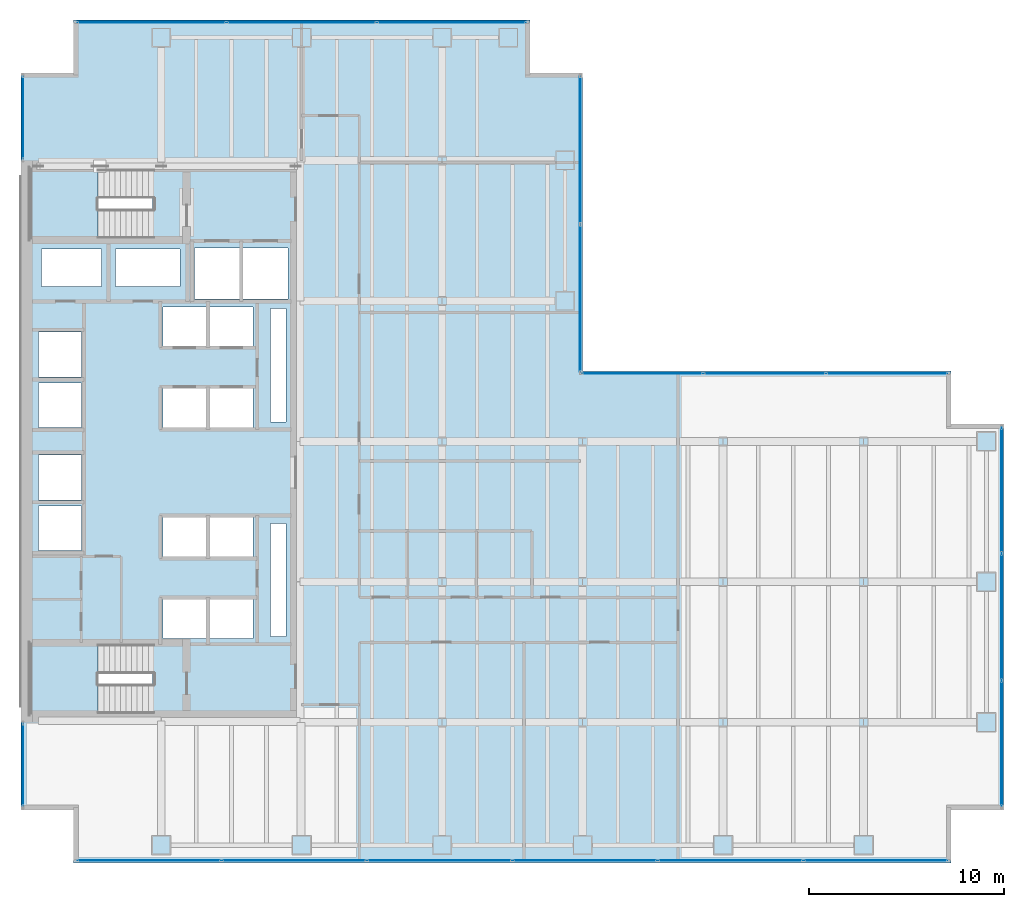
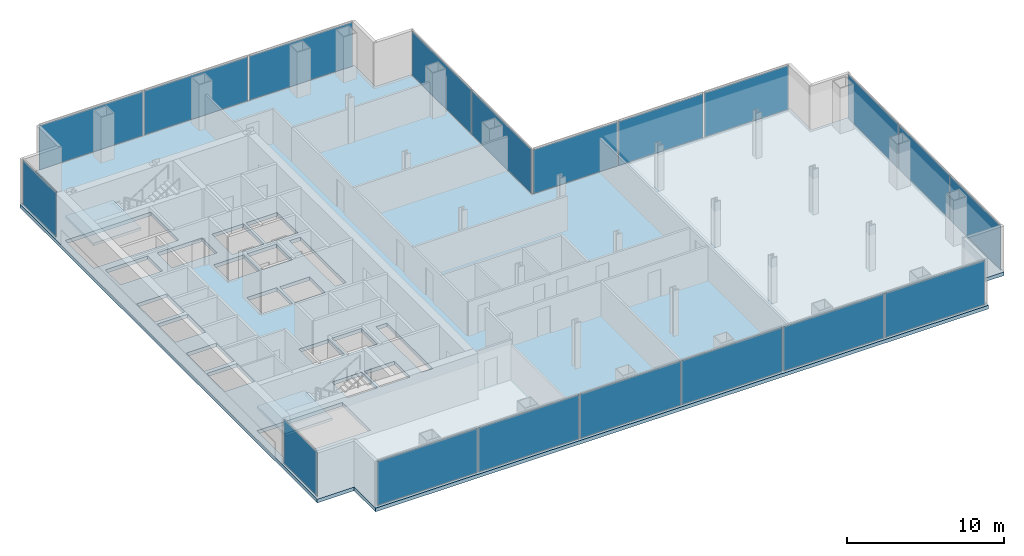
# One storey, part 19 of 25: 19 plates, 3 slabs, 20 openings, 9 elements without a shape of their own.
"""IFC4 building model written with IfcOpenShell, lengths in metres."""

from ifc_helpers import new_model, si_unit, direction, frame, origin, origin_2d, place, context, subcontext, project, spatial, polyline, rectangle, outline, extrude, material, layer, layer_set, type_object, element, aggregate, save


model = new_model("IFC4")

# Units and contexts
model_context = context("Model", 3, precision=1e-05, world=origin(), true_north=direction((0.0, 1.0)))
body_context = subcontext(model_context, "Body", "Model", "MODEL_VIEW")
ifc_project = project(units=[si_unit("LENGTHUNIT", "METRE"), si_unit("AREAUNIT", "SQUARE_METRE"), si_unit("VOLUMEUNIT", "CUBIC_METRE"), si_unit("PLANEANGLEUNIT", "RADIAN"), si_unit("MASSUNIT", "GRAM", prefix="KILO")], contexts=[model_context])

# Site, building, storey
site_placement = place(None, origin())
site = spatial("IfcSite", under=ifc_project, at=site_placement, CompositionType="ELEMENT")
building_placement = place(site_placement, origin())
building = spatial("IfcBuilding", under=site, at=building_placement, Name="Cobrela Telecom Tower", CompositionType="ELEMENT")
storey_placement = place(building_placement, frame((0.0, 0.0, 61.949951171875)))
storey = spatial("IfcBuildingStorey", under=building, at=storey_placement, Name="L15", CompositionType="ELEMENT", Elevation=61.949951171875)

# Curtain wall, plate
ifc_material_1 = material(Name="Anodized Bronze Aluminium 6063-T6", Category="aluminium")
curtain_wall_type = type_object("IfcCurtainWallType", Name="CW-SYS-DATA", PredefinedType="USERDEFINED", material=ifc_material_1)
curtain_wall_1_placement = place(storey_placement, origin())
curtain_wall_1 = element("IfcCurtainWall", 1, at=curtain_wall_1_placement, inside=storey, type_object=curtain_wall_type, Name="L15 Unitised Bronze Curtain Wall 03", ObjectType="UNITISED CURTAIN WALL", PredefinedType="USERDEFINED")
ifc_material_2 = material(Name="Solar-Control Bronze Low-E Glass", Category="glass")
ifc_layer_1 = layer(ifc_material_2, 0.0380859375)
ifc_layer_set_1 = layer_set([ifc_layer_1], Name="Solar-Control Bronze Low-E Glass")
plate_type = type_object("IfcPlateType", Name="CW-SYS-DATA-PNL", PredefinedType="CURTAIN_PANEL", material=ifc_layer_set_1)
plate_1_placement = place(storey_placement, frame((0.1201171875, 5.014892578125, 0.0751953125), z_axis=(0.0, 0.0, 1.0), x_axis=(0.0, 1.0, 0.0)))
plate_1 = element("IfcPlate", 2, at=plate_1_placement, type_object=plate_type, Name="CW-DATA panel 1.1", PredefinedType="CURTAIN_PANEL", context=body_context, shape_type="SweptSolid", body=[
    extrude(rectangle(XDim=4.2099609375, YDim=0.0380859375, at=origin_2d()), origin(), (0.0, 0.0, 1.0), 3.419921875),
])
aggregate(curtain_wall_1, [plate_1])

curtain_wall_2_placement = place(storey_placement, origin())
curtain_wall_2 = element("IfcCurtainWall", 3, at=curtain_wall_2_placement, inside=storey, type_object=curtain_wall_type, Name="L15 Unitised Bronze Curtain Wall 04", ObjectType="UNITISED CURTAIN WALL", PredefinedType="USERDEFINED")
plate_2_placement = place(storey_placement, frame((0.1201171875, 38.18505859375, 0.0751953125), z_axis=(0.0, 0.0, 1.0), x_axis=(0.0, 1.0, 0.0)))
plate_2 = element("IfcPlate", 4, at=plate_2_placement, type_object=plate_type, Name="CW-DATA panel 1.1", PredefinedType="CURTAIN_PANEL", context=body_context, shape_type="SweptSolid", body=[
    extrude(rectangle(XDim=4.2099609375, YDim=0.0380859375, at=origin_2d()), origin(), (0.0, 0.0, 1.0), 3.419921875),
])
aggregate(curtain_wall_2, [plate_2])

# Curtain wall, plates
curtain_wall_3_placement = place(storey_placement, origin())
curtain_wall_3 = element("IfcCurtainWall", 5, at=curtain_wall_3_placement, inside=storey, type_object=curtain_wall_type, Name="L15 Unitised Bronze Curtain Wall 07", ObjectType="UNITISED CURTAIN WALL", PredefinedType="USERDEFINED")
plate_3_placement = place(storey_placement, frame((6.706787109375, 43.080078125, 0.0751953125), z_axis=(0.0, 0.0, 1.0), x_axis=(1.0, 0.0, 0.0)))
plate_3 = element("IfcPlate", 6, at=plate_3_placement, type_object=plate_type, Name="CW-DATA panel 1.1", PredefinedType="CURTAIN_PANEL", context=body_context, shape_type="SweptSolid", body=[
    extrude(rectangle(XDim=7.59326171875, YDim=0.0380859375, at=origin_2d()), origin(), (0.0, 0.0, 1.0), 3.419921875),
])
plate_4_placement = place(storey_placement, frame((14.39990234375, 43.080078125, 0.0751953125), z_axis=(0.0, 0.0, 1.0), x_axis=(1.0, 0.0, 0.0)))
plate_4 = element("IfcPlate", 7, at=plate_4_placement, type_object=plate_type, Name="CW-DATA panel 2.1", PredefinedType="CURTAIN_PANEL", context=body_context, shape_type="SweptSolid", body=[
    extrude(rectangle(XDim=7.63330078125, YDim=0.0380859375, at=origin_2d()), origin(), (0.0, 0.0, 1.0), 3.419921875),
])
plate_5_placement = place(storey_placement, frame((22.09326171875, 43.080078125, 0.0751953125), z_axis=(0.0, 0.0, 1.0), x_axis=(1.0, 0.0, 0.0)))
plate_5 = element("IfcPlate", 8, at=plate_5_placement, type_object=plate_type, Name="CW-DATA panel 3.1", PredefinedType="CURTAIN_PANEL", context=body_context, shape_type="SweptSolid", body=[
    extrude(rectangle(XDim=7.59326171875, YDim=0.0380859375, at=origin_2d()), origin(), (0.0, 0.0, 1.0), 3.419921875),
])
aggregate(curtain_wall_3, [plate_3, plate_4, plate_5])

curtain_wall_4_placement = place(storey_placement, origin())
curtain_wall_4 = element("IfcCurtainWall", 9, at=curtain_wall_4_placement, inside=storey, type_object=curtain_wall_type, Name="L15 Unitised Bronze Curtain Wall 10", ObjectType="UNITISED CURTAIN WALL", PredefinedType="USERDEFINED")
plate_6_placement = place(storey_placement, frame((28.679931640625, 36.527587890625, 0.0751953125), z_axis=(0.0, 0.0, 1.0), x_axis=(0.0, -1.0, 0.0)))
plate_6 = element("IfcPlate", 10, at=plate_6_placement, type_object=plate_type, Name="CW-DATA panel 1.1", PredefinedType="CURTAIN_PANEL", context=body_context, shape_type="SweptSolid", body=[
    extrude(rectangle(XDim=7.52490234375, YDim=0.0380859375, at=origin_2d()), origin(), (0.0, 0.0, 1.0), 3.419921875),
])
plate_7_placement = place(storey_placement, frame((28.679931640625, 28.922607421875, 0.0751953125), z_axis=(0.0, 0.0, 1.0), x_axis=(0.0, -1.0, 0.0)))
plate_7 = element("IfcPlate", 11, at=plate_7_placement, type_object=plate_type, Name="CW-DATA panel 2.1", PredefinedType="CURTAIN_PANEL", context=body_context, shape_type="SweptSolid", body=[
    extrude(rectangle(XDim=7.52490234375, YDim=0.0380859375, at=origin_2d()), origin(), (0.0, 0.0, 1.0), 3.419921875),
])
aggregate(curtain_wall_4, [plate_6, plate_7])

curtain_wall_5_placement = place(storey_placement, origin())
curtain_wall_5 = element("IfcCurtainWall", 12, at=curtain_wall_5_placement, inside=storey, type_object=curtain_wall_type, Name="L15 Unitised Bronze Curtain Wall 11", ObjectType="UNITISED CURTAIN WALL", PredefinedType="USERDEFINED")
plate_8_placement = place(storey_placement, frame((31.848388671875, 25.080078125, 0.0751953125), z_axis=(0.0, 0.0, 1.0), x_axis=(1.0, 0.0, 0.0)))
plate_8 = element("IfcPlate", 13, at=plate_8_placement, type_object=plate_type, Name="CW-DATA panel 1.1", PredefinedType="CURTAIN_PANEL", context=body_context, shape_type="SweptSolid", body=[
    extrude(rectangle(XDim=6.1767578125, YDim=0.0380859375, at=origin_2d()), origin(), (0.0, 0.0, 1.0), 3.419921875),
])
plate_9_placement = place(storey_placement, frame((38.125, 25.080078125, 0.0751953125), z_axis=(0.0, 0.0, 1.0), x_axis=(1.0, 0.0, 0.0)))
plate_9 = element("IfcPlate", 14, at=plate_9_placement, type_object=plate_type, Name="CW-DATA panel 2.1", PredefinedType="CURTAIN_PANEL", context=body_context, shape_type="SweptSolid", body=[
    extrude(rectangle(XDim=6.216552734375, YDim=0.0380859375, at=origin_2d()), origin(), (0.0, 0.0, 1.0), 3.419921875),
])
plate_10_placement = place(storey_placement, frame((44.401611328125, 25.080078125, 0.0751953125), z_axis=(0.0, 0.0, 1.0), x_axis=(1.0, 0.0, 0.0)))
plate_10 = element("IfcPlate", 15, at=plate_10_placement, type_object=plate_type, Name="CW-DATA panel 3.1", PredefinedType="CURTAIN_PANEL", context=body_context, shape_type="SweptSolid", body=[
    extrude(rectangle(XDim=6.1767578125, YDim=0.0380859375, at=origin_2d()), origin(), (0.0, 0.0, 1.0), 3.419921875),
])
aggregate(curtain_wall_5, [plate_8, plate_9, plate_10])

curtain_wall_6_placement = place(storey_placement, origin())
curtain_wall_6 = element("IfcCurtainWall", 16, at=curtain_wall_6_placement, inside=storey, type_object=curtain_wall_type, Name="L15 Unitised Bronze Curtain Wall 14", ObjectType="UNITISED CURTAIN WALL", PredefinedType="USERDEFINED")
plate_11_placement = place(storey_placement, frame((50.280029296875, 19.09326171875, 0.0751953125), z_axis=(0.0, 0.0, 1.0), x_axis=(0.0, -1.0, 0.0)))
plate_11 = element("IfcPlate", 17, at=plate_11_placement, type_object=plate_type, Name="CW-DATA panel 1.1", PredefinedType="CURTAIN_PANEL", context=body_context, shape_type="SweptSolid", body=[
    extrude(rectangle(XDim=6.393310546875, YDim=0.0380859375, at=origin_2d()), origin(), (0.0, 0.0, 1.0), 3.419921875),
])
plate_12_placement = place(storey_placement, frame((50.280029296875, 12.60009765625, 0.0751953125), z_axis=(0.0, 0.0, 1.0), x_axis=(0.0, -1.0, 0.0)))
plate_12 = element("IfcPlate", 18, at=plate_12_placement, type_object=plate_type, Name="CW-DATA panel 2.1", PredefinedType="CURTAIN_PANEL", context=body_context, shape_type="SweptSolid", body=[
    extrude(rectangle(XDim=6.433349609375, YDim=0.0380859375, at=origin_2d()), origin(), (0.0, 0.0, 1.0), 3.419921875),
])
plate_13_placement = place(storey_placement, frame((50.280029296875, 6.106689453125, 0.0751953125), z_axis=(0.0, 0.0, 1.0), x_axis=(0.0, -1.0, 0.0)))
plate_13 = element("IfcPlate", 19, at=plate_13_placement, type_object=plate_type, Name="CW-DATA panel 3.1", PredefinedType="CURTAIN_PANEL", context=body_context, shape_type="SweptSolid", body=[
    extrude(rectangle(XDim=6.393310546875, YDim=0.0380859375, at=origin_2d()), origin(), (0.0, 0.0, 1.0), 3.419921875),
])
aggregate(curtain_wall_6, [plate_11, plate_12, plate_13])

curtain_wall_7_placement = place(storey_placement, origin())
curtain_wall_7 = element("IfcCurtainWall", 20, at=curtain_wall_7_placement, inside=storey, type_object=curtain_wall_type, Name="L15 Unitised Bronze Curtain Wall 17", ObjectType="UNITISED CURTAIN WALL", PredefinedType="USERDEFINED")
plate_14_placement = place(storey_placement, frame((43.82177734375, 0.1201171875, 0.0751953125), z_axis=(0.0, 0.0, 1.0), x_axis=(-1.0, 0.0, 0.0)))
plate_14 = element("IfcPlate", 21, at=plate_14_placement, type_object=plate_type, Name="CW-DATA panel 1.1", PredefinedType="CURTAIN_PANEL", context=body_context, shape_type="SweptSolid", body=[
    extrude(rectangle(XDim=7.336669921875, YDim=0.0380859375, at=origin_2d()), origin(), (0.0, 0.0, 1.0), 3.419921875),
])
plate_15_placement = place(storey_placement, frame((36.385009765625, 0.1201171875, 0.0751953125), z_axis=(0.0, 0.0, 1.0), x_axis=(-1.0, 0.0, 0.0)))
plate_15 = element("IfcPlate", 22, at=plate_15_placement, type_object=plate_type, Name="CW-DATA panel 2.1", PredefinedType="CURTAIN_PANEL", context=body_context, shape_type="SweptSolid", body=[
    extrude(rectangle(XDim=7.376708984375, YDim=0.0380859375, at=origin_2d()), origin(), (0.0, 0.0, 1.0), 3.419921875),
])
plate_16_placement = place(storey_placement, frame((28.92822265625, 0.1201171875, 0.0751953125), z_axis=(0.0, 0.0, 1.0), x_axis=(-1.0, 0.0, 0.0)))
plate_16 = element("IfcPlate", 23, at=plate_16_placement, type_object=plate_type, Name="CW-DATA panel 3.1", PredefinedType="CURTAIN_PANEL", context=body_context, shape_type="SweptSolid", body=[
    extrude(rectangle(XDim=7.376708984375, YDim=0.0380859375, at=origin_2d()), origin(), (0.0, 0.0, 1.0), 3.419921875),
])
plate_17_placement = place(storey_placement, frame((21.4716796875, 0.1201171875, 0.0751953125), z_axis=(0.0, 0.0, 1.0), x_axis=(-1.0, 0.0, 0.0)))
plate_17 = element("IfcPlate", 24, at=plate_17_placement, type_object=plate_type, Name="CW-DATA panel 4.1", PredefinedType="CURTAIN_PANEL", context=body_context, shape_type="SweptSolid", body=[
    extrude(rectangle(XDim=7.376708984375, YDim=0.0380859375, at=origin_2d()), origin(), (0.0, 0.0, 1.0), 3.419921875),
])
plate_18_placement = place(storey_placement, frame((14.014892578125, 0.1201171875, 0.0751953125), z_axis=(0.0, 0.0, 1.0), x_axis=(-1.0, 0.0, 0.0)))
plate_18 = element("IfcPlate", 25, at=plate_18_placement, type_object=plate_type, Name="CW-DATA panel 5.1", PredefinedType="CURTAIN_PANEL", context=body_context, shape_type="SweptSolid", body=[
    extrude(rectangle(XDim=7.376708984375, YDim=0.0380859375, at=origin_2d()), origin(), (0.0, 0.0, 1.0), 3.419921875),
])
plate_19_placement = place(storey_placement, frame((6.578369140625, 0.1201171875, 0.0751953125), z_axis=(0.0, 0.0, 1.0), x_axis=(-1.0, 0.0, 0.0)))
plate_19 = element("IfcPlate", 26, at=plate_19_placement, type_object=plate_type, Name="CW-DATA panel 6.1", PredefinedType="CURTAIN_PANEL", context=body_context, shape_type="SweptSolid", body=[
    extrude(rectangle(XDim=7.336669921875, YDim=0.0380859375, at=origin_2d()), origin(), (0.0, 0.0, 1.0), 3.419921875),
])
aggregate(curtain_wall_7, [plate_14, plate_15, plate_16, plate_17, plate_18, plate_19])

# Slab, openings
ifc_material_3 = material(Name="Concrete C40/50", Category="concrete")
ifc_layer_2 = layer(ifc_material_3, 0.280029296875)
ifc_layer_set_2 = layer_set([ifc_layer_2], Name="Concrete C40/50")
slab_type_1 = type_object("IfcSlabType", Name="SLAB-FLR-280", PredefinedType="FLOOR", material=ifc_layer_set_2)
slab_1_placement = place(storey_placement, frame((0.0, 0.0, -0.280029296875)))
slab_1 = element("IfcSlab", 27, at=slab_1_placement, inside=storey, type_object=slab_type_1, Name="L15 Structural Floor Slab", PredefinedType="FLOOR", context=body_context, shape_type="SweptSolid", body=[
    extrude(outline(polyline([(2.7099609375, 0.0), (47.68994140625, 0.0), (47.68994140625, 2.7099609375), (50.39990234375, 2.7099609375), (50.39990234375, 22.489990234375), (47.68994140625, 22.489990234375), (47.68994140625, 25.199951171875), (28.800048828125, 25.199951171875), (28.800048828125, 40.489990234375), (26.090087890625, 40.489990234375), (26.090087890625, 43.199951171875), (2.7099609375, 43.199951171875), (2.7099609375, 40.489990234375), (0.0, 40.489990234375), (0.0, 2.7099609375), (2.7099609375, 2.7099609375), (2.7099609375, 0.0)])), origin(), (0.0, 0.0, 1.0), 0.280029296875),
])
opening_1_placement = place(slab_1_placement, frame((0.0, 0.0, -0.02001953125)))
element("IfcOpeningElement", 28, at=opening_1_placement, cuts=slab_1, Name="Slab Shaft Opening SLAB-L15-MAIN.1", PredefinedType="OPENING", context=body_context, shape_type="SweptSolid", body=[
    extrude(outline(polyline([(8.89990234375, 28.89990234375), (11.199951171875, 28.89990234375), (11.199951171875, 31.5), (8.89990234375, 31.5), (8.89990234375, 28.89990234375)])), origin(), (0.0, 0.0, 1.0), 0.320068359375),
])
opening_2_placement = place(slab_1_placement, frame((0.0, 0.0, -0.02001953125)))
element("IfcOpeningElement", 29, at=opening_2_placement, cuts=slab_1, Name="Slab Shaft Opening SLAB-L15-MAIN.2", PredefinedType="OPENING", context=body_context, shape_type="SweptSolid", body=[
    extrude(outline(polyline([(11.39990234375, 28.89990234375), (13.699951171875, 28.89990234375), (13.699951171875, 31.5), (11.39990234375, 31.5), (11.39990234375, 28.89990234375)])), origin(), (0.0, 0.0, 1.0), 0.320068359375),
])
opening_3_placement = place(slab_1_placement, frame((0.0, 0.0, -0.02001953125)))
element("IfcOpeningElement", 30, at=opening_3_placement, cuts=slab_1, Name="Slab Shaft Opening SLAB-L15-MAIN.3", PredefinedType="OPENING", context=body_context, shape_type="SweptSolid", body=[
    extrude(outline(polyline([(7.300048828125, 22.300048828125), (9.5, 22.300048828125), (9.5, 24.300048828125), (7.300048828125, 24.300048828125), (7.300048828125, 22.300048828125)])), origin(), (0.0, 0.0, 1.0), 0.320068359375),
])
opening_4_placement = place(slab_1_placement, frame((0.0, 0.0, -0.02001953125)))
element("IfcOpeningElement", 31, at=opening_4_placement, cuts=slab_1, Name="Slab Shaft Opening SLAB-L15-MAIN.4", PredefinedType="OPENING", context=body_context, shape_type="SweptSolid", body=[
    extrude(outline(polyline([(9.699951171875, 22.300048828125), (11.89990234375, 22.300048828125), (11.89990234375, 24.300048828125), (9.699951171875, 24.300048828125), (9.699951171875, 22.300048828125)])), origin(), (0.0, 0.0, 1.0), 0.320068359375),
])
opening_5_placement = place(slab_1_placement, frame((0.0, 0.0, -0.02001953125)))
element("IfcOpeningElement", 32, at=opening_5_placement, cuts=slab_1, Name="Slab Shaft Opening SLAB-L15-MAIN.5", PredefinedType="OPENING", context=body_context, shape_type="SweptSolid", body=[
    extrude(outline(polyline([(7.300048828125, 26.5), (9.5, 26.5), (9.5, 28.5), (7.300048828125, 28.5), (7.300048828125, 26.5)])), origin(), (0.0, 0.0, 1.0), 0.320068359375),
])
opening_6_placement = place(slab_1_placement, frame((0.0, 0.0, -0.02001953125)))
element("IfcOpeningElement", 33, at=opening_6_placement, cuts=slab_1, Name="Slab Shaft Opening SLAB-L15-MAIN.6", PredefinedType="OPENING", context=body_context, shape_type="SweptSolid", body=[
    extrude(outline(polyline([(9.699951171875, 26.5), (11.89990234375, 26.5), (11.89990234375, 28.5), (9.699951171875, 28.5), (9.699951171875, 26.5)])), origin(), (0.0, 0.0, 1.0), 0.320068359375),
])
opening_7_placement = place(slab_1_placement, frame((0.0, 0.0, -0.02001953125)))
element("IfcOpeningElement", 34, at=opening_7_placement, cuts=slab_1, Name="Slab Shaft Opening SLAB-L15-MAIN.7", PredefinedType="OPENING", context=body_context, shape_type="SweptSolid", body=[
    extrude(outline(polyline([(7.300048828125, 15.699951171875), (9.5, 15.699951171875), (9.5, 17.699951171875), (7.300048828125, 17.699951171875), (7.300048828125, 15.699951171875)])), origin(), (0.0, 0.0, 1.0), 0.320068359375),
])
opening_8_placement = place(slab_1_placement, frame((0.0, 0.0, -0.02001953125)))
element("IfcOpeningElement", 35, at=opening_8_placement, cuts=slab_1, Name="Slab Shaft Opening SLAB-L15-MAIN.8", PredefinedType="OPENING", context=body_context, shape_type="SweptSolid", body=[
    extrude(outline(polyline([(9.699951171875, 15.699951171875), (11.89990234375, 15.699951171875), (11.89990234375, 17.699951171875), (9.699951171875, 17.699951171875), (9.699951171875, 15.699951171875)])), origin(), (0.0, 0.0, 1.0), 0.320068359375),
])
opening_9_placement = place(slab_1_placement, frame((0.0, 0.0, -0.02001953125)))
element("IfcOpeningElement", 36, at=opening_9_placement, cuts=slab_1, Name="Slab Shaft Opening SLAB-L15-MAIN.9", PredefinedType="OPENING", context=body_context, shape_type="SweptSolid", body=[
    extrude(outline(polyline([(7.300048828125, 11.5), (9.5, 11.5), (9.5, 13.5), (7.300048828125, 13.5), (7.300048828125, 11.5)])), origin(), (0.0, 0.0, 1.0), 0.320068359375),
])
opening_10_placement = place(slab_1_placement, frame((0.0, 0.0, -0.02001953125)))
element("IfcOpeningElement", 37, at=opening_10_placement, cuts=slab_1, Name="Slab Shaft Opening SLAB-L15-MAIN.10", PredefinedType="OPENING", context=body_context, shape_type="SweptSolid", body=[
    extrude(outline(polyline([(9.699951171875, 11.5), (11.89990234375, 11.5), (11.89990234375, 13.5), (9.699951171875, 13.5), (9.699951171875, 11.5)])), origin(), (0.0, 0.0, 1.0), 0.320068359375),
])
opening_11_placement = place(slab_1_placement, frame((0.0, 0.0, -0.02001953125)))
element("IfcOpeningElement", 38, at=opening_11_placement, cuts=slab_1, Name="Slab Shaft Opening SLAB-L15-MAIN.11", PredefinedType="OPENING", context=body_context, shape_type="SweptSolid", body=[
    extrude(outline(polyline([(0.89990234375, 16.0), (3.10009765625, 16.0), (3.10009765625, 18.300048828125), (0.89990234375, 18.300048828125), (0.89990234375, 16.0)])), origin(), (0.0, 0.0, 1.0), 0.320068359375),
])
opening_12_placement = place(slab_1_placement, frame((0.0, 0.0, -0.02001953125)))
element("IfcOpeningElement", 39, at=opening_12_placement, cuts=slab_1, Name="Slab Shaft Opening SLAB-L15-MAIN.12", PredefinedType="OPENING", context=body_context, shape_type="SweptSolid", body=[
    extrude(outline(polyline([(0.89990234375, 18.60009765625), (3.10009765625, 18.60009765625), (3.10009765625, 20.89990234375), (0.89990234375, 20.89990234375), (0.89990234375, 18.60009765625)])), origin(), (0.0, 0.0, 1.0), 0.320068359375),
])
opening_13_placement = place(slab_1_placement, frame((0.0, 0.0, -0.02001953125)))
element("IfcOpeningElement", 40, at=opening_13_placement, cuts=slab_1, Name="Slab Shaft Opening SLAB-L15-MAIN.13", PredefinedType="OPENING", context=body_context, shape_type="SweptSolid", body=[
    extrude(outline(polyline([(0.89990234375, 22.300048828125), (3.10009765625, 22.300048828125), (3.10009765625, 24.60009765625), (0.89990234375, 24.60009765625), (0.89990234375, 22.300048828125)])), origin(), (0.0, 0.0, 1.0), 0.320068359375),
])
opening_14_placement = place(slab_1_placement, frame((0.0, 0.0, -0.02001953125)))
element("IfcOpeningElement", 41, at=opening_14_placement, cuts=slab_1, Name="Slab Shaft Opening SLAB-L15-MAIN.14", PredefinedType="OPENING", context=body_context, shape_type="SweptSolid", body=[
    extrude(outline(polyline([(0.89990234375, 24.89990234375), (3.10009765625, 24.89990234375), (3.10009765625, 27.199951171875), (0.89990234375, 27.199951171875), (0.89990234375, 24.89990234375)])), origin(), (0.0, 0.0, 1.0), 0.320068359375),
])
opening_15_placement = place(slab_1_placement, frame((0.0, 0.0, -0.02001953125)))
element("IfcOpeningElement", 42, at=opening_15_placement, cuts=slab_1, Name="Slab Shaft Opening SLAB-L15-MAIN.15", PredefinedType="OPENING", context=body_context, shape_type="SweptSolid", body=[
    extrude(outline(polyline([(1.050048828125, 29.550048828125), (4.14990234375, 29.550048828125), (4.14990234375, 31.449951171875), (1.050048828125, 31.449951171875), (1.050048828125, 29.550048828125)])), origin(), (0.0, 0.0, 1.0), 0.320068359375),
])
opening_16_placement = place(slab_1_placement, frame((0.0, 0.0, -0.02001953125)))
element("IfcOpeningElement", 43, at=opening_16_placement, cuts=slab_1, Name="Slab Shaft Opening SLAB-L15-MAIN.16", PredefinedType="OPENING", context=body_context, shape_type="SweptSolid", body=[
    extrude(outline(polyline([(4.85009765625, 29.550048828125), (8.14990234375, 29.550048828125), (8.14990234375, 31.449951171875), (4.85009765625, 31.449951171875), (4.85009765625, 29.550048828125)])), origin(), (0.0, 0.0, 1.0), 0.320068359375),
])
opening_17_placement = place(slab_1_placement, frame((0.0, 0.0, -0.02001953125)))
element("IfcOpeningElement", 44, at=opening_17_placement, cuts=slab_1, Name="Slab Shaft Opening SLAB-L15-MAIN.17", PredefinedType="OPENING", context=body_context, shape_type="SweptSolid", body=[
    extrude(outline(polyline([(12.800048828125, 22.60009765625), (13.60009765625, 22.60009765625), (13.60009765625, 28.39990234375), (12.800048828125, 28.39990234375), (12.800048828125, 22.60009765625)])), origin(), (0.0, 0.0, 1.0), 0.320068359375),
])
opening_18_placement = place(slab_1_placement, frame((0.0, 0.0, -0.02001953125)))
element("IfcOpeningElement", 45, at=opening_18_placement, cuts=slab_1, Name="Slab Shaft Opening SLAB-L15-MAIN.18", PredefinedType="OPENING", context=body_context, shape_type="SweptSolid", body=[
    extrude(outline(polyline([(12.800048828125, 11.60009765625), (13.60009765625, 11.60009765625), (13.60009765625, 17.39990234375), (12.800048828125, 17.39990234375), (12.800048828125, 11.60009765625)])), origin(), (0.0, 0.0, 1.0), 0.320068359375),
])
opening_19_placement = place(slab_1_placement, frame((0.0, 0.0, -0.02001953125)))
element("IfcOpeningElement", 46, at=opening_19_placement, cuts=slab_1, Name="Slab Shaft Opening SLAB-L15-MAIN.19", PredefinedType="OPENING", context=body_context, shape_type="SweptSolid", body=[
    extrude(outline(polyline([(6.7548828125, 35.550048828125), (0.47998046875, 35.550048828125), (0.47998046875, 32.0), (6.7548828125, 32.0), (6.7548828125, 35.550048828125)])), origin(), (0.0, 0.0, 1.0), 0.320068359375),
])
opening_20_placement = place(slab_1_placement, frame((0.0, 0.0, -0.02001953125)))
element("IfcOpeningElement", 47, at=opening_20_placement, cuts=slab_1, Name="Slab Shaft Opening SLAB-L15-MAIN.20", PredefinedType="OPENING", context=body_context, shape_type="SweptSolid", body=[
    extrude(outline(polyline([(6.7548828125, 11.199951171875), (0.47998046875, 11.199951171875), (0.47998046875, 7.64990234375), (6.7548828125, 7.64990234375), (6.7548828125, 11.199951171875)])), origin(), (0.0, 0.0, 1.0), 0.320068359375),
])

# Stair, slab
stair_type = type_object("IfcStairType", Name="STAIR-CORE", PredefinedType="HALF_TURN_STAIR", material=ifc_material_3)
stair_1_placement = place(storey_placement, origin())
stair_1 = element("IfcStair", 48, at=stair_1_placement, inside=storey, type_object=stair_type, Name="L15 Smokeproof Exit Stair ST1", PredefinedType="HALF_TURN_STAIR")
ifc_layer_3 = layer(ifc_material_3, 0.199951171875)
ifc_layer_set_3 = layer_set([ifc_layer_3], Name="Concrete C40/50")
slab_type_2 = type_object("IfcSlabType", Name="SLAB-LAND-200", PredefinedType="LANDING", material=ifc_layer_set_3)
slab_2_placement = place(storey_placement, frame((0.0, 0.0, 1.72509765625)))
slab_2 = element("IfcSlab", 49, at=slab_2_placement, type_object=slab_type_2, Name="ST1 landing 1", PredefinedType="LANDING", context=body_context, shape_type="SweptSolid", body=[
    extrude(outline(polyline([(3.969970703125, 35.550048828125), (0.47998046875, 35.550048828125), (0.47998046875, 32.0), (3.969970703125, 32.0), (3.969970703125, 35.550048828125)])), origin(), (0.0, 0.0, 1.0), 0.199951171875),
])
aggregate(stair_1, [slab_2])

stair_2_placement = place(storey_placement, origin())
stair_2 = element("IfcStair", 50, at=stair_2_placement, inside=storey, type_object=stair_type, Name="L15 Smokeproof Exit Stair ST2", PredefinedType="HALF_TURN_STAIR")
slab_3_placement = place(storey_placement, frame((0.0, 0.0, 1.72509765625)))
slab_3 = element("IfcSlab", 51, at=slab_3_placement, type_object=slab_type_2, Name="ST2 landing 1", PredefinedType="LANDING", context=body_context, shape_type="SweptSolid", body=[
    extrude(outline(polyline([(3.969970703125, 11.199951171875), (0.47998046875, 11.199951171875), (0.47998046875, 7.64990234375), (3.969970703125, 7.64990234375), (3.969970703125, 11.199951171875)])), origin(), (0.0, 0.0, 1.0), 0.199951171875),
])
aggregate(stair_2, [slab_3])

save(model, "model.ifc")
